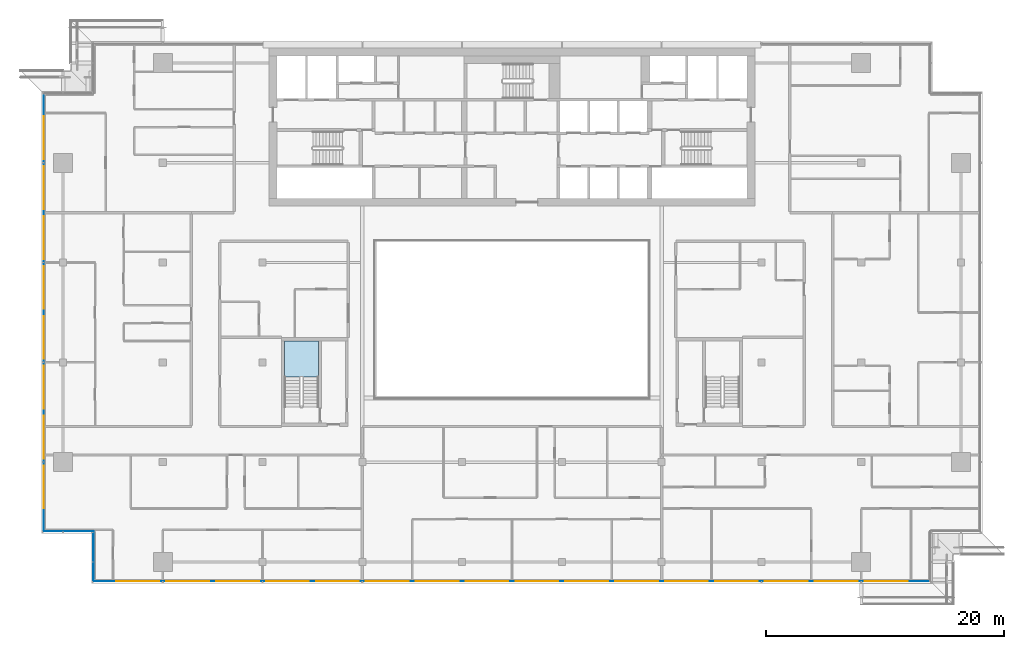
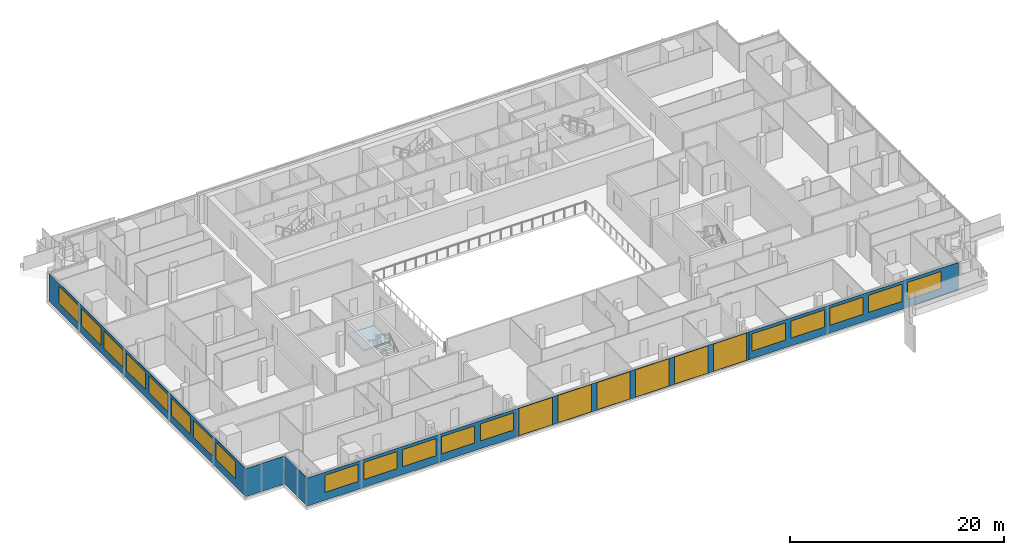
# One storey, part 16 of 30: 24 windows, 6 plates, 1 slab, 24 openings, 5 elements without a shape of their own.
"""IFC4 building model written with IfcOpenShell, lengths in metres."""

import ifcopenshell
import ifcopenshell.guid

model = None  # the IFC model being written
_history = None  # IfcOwnerHistory: only IFC2X3 demands one
_inside = {}  # id of a spatial element -> (the spatial element, [elements in it])
_under = {}  # id of a project, library or spatial element -> (it, [spatial elements below it])
_declared = {}  # id of a project -> (the project, [libraries it declares])
_typed = {}  # id of a type object -> (the type object, [elements of that type])
_made_of = {}  # id of a material, layer set ... -> (it, [elements and type objects made of it])


def new_model(schema):
    """Start an empty IFC model of exactly this schema.

    Asked for "IFC4X3", IfcOpenShell would pick the latest addendum, in which some entities
    have other attributes; the version numbers below select the first issue.
    IFC2X3 requires an IfcOwnerHistory on every rooted entity: one is made here for all.
    """
    global model, _history
    if schema == "IFC4X3":
        model = ifcopenshell.file(schema_version=(4, 3, 0, 0))
    else:
        model = ifcopenshell.file(schema=schema)
    _inside.clear()
    _under.clear()
    _declared.clear()
    _typed.clear()
    _made_of.clear()
    _history = None
    if model.schema == "IFC2X3":
        org = make("IfcOrganization", Name="unknown")
        user = make(
            "IfcPersonAndOrganization",
            ThePerson=make("IfcPerson", FamilyName="unknown"),
            TheOrganization=org,
        )
        app = make(
            "IfcApplication",
            ApplicationDeveloper=org,
            Version="unknown",
            ApplicationFullName="unknown",
            ApplicationIdentifier="unknown",
        )
        _history = make(
            "IfcOwnerHistory",
            OwningUser=user,
            OwningApplication=app,
            ChangeAction="ADDED",
            CreationDate=0,
        )
    return model


def make(cls, **values):
    """One entity of the class cls with the attributes given. An attribute that is None is left unset."""
    return model.create_entity(
        cls, **{name: value for name, value in values.items() if value is not None}
    )


def rooted(cls, **values):
    """An entity with a GlobalId (a new one), such as an element, a storey or a relation."""
    return make(cls, GlobalId=ifcopenshell.guid.new(), OwnerHistory=_history, **values)


def si_unit(unit_type, name, prefix=None):
    """IfcSIUnit, for example si_unit("LENGTHUNIT", "METRE", prefix="MILLI")."""
    return make("IfcSIUnit", UnitType=unit_type, Prefix=prefix, Name=name)


def assignment(units):
    """IfcUnitAssignment: the units of a project."""
    return None if units is None else make("IfcUnitAssignment", Units=units)


def point(xyz):
    """IfcCartesianPoint."""
    return None if xyz is None else make("IfcCartesianPoint", Coordinates=xyz)


def direction(xyz):
    """IfcDirection."""
    return None if xyz is None else make("IfcDirection", DirectionRatios=xyz)


def frame(location, z_axis=None, x_axis=None):
    """IfcAxis2Placement3D, a coordinate frame: its origin and axes. An axis left out is left unset."""
    return make(
        "IfcAxis2Placement3D",
        Location=point(location),
        Axis=direction(z_axis),
        RefDirection=direction(x_axis),
    )


def frame_2d(location, x_axis=None):
    """IfcAxis2Placement2D, a coordinate frame in the plane: its origin and x axis."""
    return make(
        "IfcAxis2Placement2D", Location=point(location), RefDirection=direction(x_axis)
    )


def origin():
    """The frame at (0, 0, 0) with its axes left unset."""
    return frame((0.0, 0.0, 0.0))


def place(relative_to, where):
    """IfcLocalPlacement: puts the frame where relative to a parent placement (None: the world)."""
    return make(
        "IfcLocalPlacement", PlacementRelTo=relative_to, RelativePlacement=where
    )


def context(
    kind, dimensions, precision=None, world=None, true_north=None, identifier=None
):
    """IfcGeometricRepresentationContext, for example the 3D "Model" context."""
    return make(
        "IfcGeometricRepresentationContext",
        ContextIdentifier=identifier,
        ContextType=kind,
        CoordinateSpaceDimension=dimensions,
        Precision=precision,
        WorldCoordinateSystem=world,
        TrueNorth=true_north,
    )


def subcontext(parent, identifier, kind, view, scale=None):
    """IfcGeometricRepresentationSubContext, for example "Body" below "Model"."""
    return make(
        "IfcGeometricRepresentationSubContext",
        ContextIdentifier=identifier,
        ContextType=kind,
        ParentContext=parent,
        TargetScale=scale,
        TargetView=view,
    )


def project(units=None, contexts=None):
    """IfcProject with its units and contexts."""
    return rooted(
        "IfcProject",
        Name="project",
        RepresentationContexts=contexts,
        UnitsInContext=assignment(units),
    )


def spatial(cls, under=None, at=None, **own):
    """A site, building, storey or space (cls), placed at a placement, below another one or the project."""
    s = rooted(cls, ObjectPlacement=at, **own)
    if under is not None:
        _under.setdefault(under.id(), (under, []))[1].append(s)
    return s


def polyline(points):
    """IfcPolyline through the points."""
    return make("IfcPolyline", Points=[point(p) for p in points])


def profile(cls, at=None, kind="AREA", **sizes):
    """A parametric profile (cls). Its sizes go by their IFC names, for example OverallWidth=200.0."""
    return make(cls, ProfileType=kind, Position=at, **sizes)


def rectangle(**sizes):
    """IfcRectangleProfileDef."""
    return profile("IfcRectangleProfileDef", **sizes)


def outline(outer, holes=None, kind="AREA"):
    """IfcArbitraryClosedProfileDef: a profile drawn as a closed curve; with holes, ...WithVoids."""
    if holes is None:
        return make("IfcArbitraryClosedProfileDef", ProfileType=kind, OuterCurve=outer)
    return make(
        "IfcArbitraryProfileDefWithVoids",
        ProfileType=kind,
        OuterCurve=outer,
        InnerCurves=holes,
    )


def extrude(swept, where, along, depth):
    """IfcExtrudedAreaSolid: the profile swept, set in the frame where, extruded along a direction by depth."""
    return make(
        "IfcExtrudedAreaSolid",
        SweptArea=swept,
        Position=where,
        ExtrudedDirection=direction(along),
        Depth=depth,
    )


def shape(context_of_items, identifier, shape_type, items):
    """IfcShapeRepresentation: the items that make up one representation, for example the "Body"."""
    return make(
        "IfcShapeRepresentation",
        ContextOfItems=context_of_items,
        RepresentationIdentifier=identifier,
        RepresentationType=shape_type,
        Items=items,
    )


def material(Name=None, Category=None):
    """IfcMaterial."""
    return make("IfcMaterial", Name=Name, Category=Category)


def layer(
    of_material, thickness, ventilated=None, Name=None, Category=None, Priority=None
):
    """IfcMaterialLayer: one layer of a wall or slab, of a material (None: an air gap)."""
    return make(
        "IfcMaterialLayer",
        Material=of_material,
        LayerThickness=thickness,
        IsVentilated=ventilated,
        Name=Name,
        Category=Category,
        Priority=Priority,
    )


def layer_set(layers, Name=None):
    """IfcMaterialLayerSet."""
    return make("IfcMaterialLayerSet", MaterialLayers=layers, LayerSetName=Name)


def made_of(thing, what):
    """Note that an element or type object is made of a material, layer set ...; save() writes the relation."""
    if what is not None:
        _made_of.setdefault(what.id(), (what, []))[1].append(thing)
    return thing


def type_object(cls, material=None, **own):
    """A type object (cls), such as IfcWallType, which elements share."""
    return made_of(rooted(cls, **own), material)


def element(
    cls,
    number,
    at=None,
    inside=None,
    cuts=None,
    type_object=None,
    material=None,
    context=None,
    identifier="Body",
    shape_type=None,
    held_by="IfcProductDefinitionShape",
    body=None,
    shapes=None,
    **own,
):
    """One element of the class cls, such as IfcWall. Its Tag is "e" and its number.

    at: its placement. inside: the storey or other place that contains it. cuts: it is an
    opening in that element (IfcRelVoidsElement). A single representation is given by context,
    identifier, shape_type and body (its items); several are given by shapes. held_by: the class
    of the entity that holds the representations. save() writes the other relations.
    """
    e = rooted(cls, Tag="e%d" % number, ObjectPlacement=at, **own)
    if body is not None:
        shapes = [shape(context, identifier, shape_type, body)]
    if shapes is not None:
        e.Representation = make(held_by, Representations=shapes)
    if inside is not None:
        _inside.setdefault(inside.id(), (inside, []))[1].append(e)
    if cuts is not None:
        rooted(
            "IfcRelVoidsElement", RelatingBuildingElement=cuts, RelatedOpeningElement=e
        )
    if type_object is not None:
        _typed.setdefault(type_object.id(), (type_object, []))[1].append(e)
    return made_of(e, material)


def fill(opening, filler):
    """IfcRelFillsElement: the door or window that sits in an opening."""
    return rooted(
        "IfcRelFillsElement",
        RelatingOpeningElement=opening,
        RelatedBuildingElement=filler,
    )


def aggregate(whole, parts):
    """IfcRelAggregates: a whole, such as a stair, and the parts it consists of."""
    return rooted("IfcRelAggregates", RelatingObject=whole, RelatedObjects=parts)


def save(model, path):
    """Write the relations noted so far, then the file.

    IfcRelAggregates (storeys below a building ...), IfcRelContainedInSpatialStructure (elements
    in a storey), IfcRelDefinesByType, IfcRelAssociatesMaterial and IfcRelDeclares: one each for
    every whole, place, type object, material and project.
    """
    for whole, parts in _under.values():
        aggregate(whole, parts)
    for where, things in _inside.values():
        rooted(
            "IfcRelContainedInSpatialStructure",
            RelatedElements=things,
            RelatingStructure=where,
        )
    for kind, things in _typed.values():
        rooted("IfcRelDefinesByType", RelatedObjects=things, RelatingType=kind)
    for what, things in _made_of.values():
        rooted("IfcRelAssociatesMaterial", RelatedObjects=things, RelatingMaterial=what)
    for by, libraries in _declared.values():
        rooted("IfcRelDeclares", RelatingContext=by, RelatedDefinitions=libraries)
    model.write(path)


model = new_model("IFC4")

# Units and contexts
model_context = context("Model", 3, precision=1e-05, world=origin(), true_north=direction((0.0, 1.0)))
body_context = subcontext(model_context, "Body", "Model", "MODEL_VIEW")
ifc_project = project(units=[si_unit("LENGTHUNIT", "METRE"), si_unit("AREAUNIT", "SQUARE_METRE"), si_unit("VOLUMEUNIT", "CUBIC_METRE"), si_unit("PLANEANGLEUNIT", "RADIAN"), si_unit("MASSUNIT", "GRAM", prefix="KILO")], contexts=[model_context])

# Site, building, storey
site_placement = place(None, origin())
site = spatial("IfcSite", under=ifc_project, at=site_placement, CompositionType="ELEMENT")
building_placement = place(site_placement, origin())
building = spatial("IfcBuilding", under=site, at=building_placement, Name="Saffron Gate Tower", CompositionType="ELEMENT")
storey_placement = place(building_placement, frame((0.0, 0.0, 237.89990234375)))
storey = spatial("IfcBuildingStorey", under=building, at=storey_placement, Name="L58", CompositionType="ELEMENT", Elevation=237.89990234375)

# Curtain wall, plates, openings, windows
ifc_material_1 = material(Name="Aluminium, bronze anodised", Category="aluminium")
curtain_wall_type_1 = type_object("IfcCurtainWallType", Name="CWS1 curtain wall front facade", PredefinedType="NOTDEFINED", material=ifc_material_1)
curtain_wall_1_placement = place(storey_placement, origin())
curtain_wall_1 = element("IfcCurtainWall", 1, at=curtain_wall_1_placement, inside=storey, type_object=curtain_wall_type_1, Name="CWS1 run 1", PredefinedType="NOTDEFINED")
ifc_material_2 = material(Name="Clear low-iron laminated glass", Category="glass")
ifc_layer_1 = layer(ifc_material_2, 0.028076171875)
ifc_layer_set_1 = layer_set([ifc_layer_1], Name="CWS1 clear glass")
plate_type_1 = type_object("IfcPlateType", Name="CWS1 clear glass", PredefinedType="CURTAIN_PANEL", material=ifc_layer_set_1)
plate_1_placement = place(storey_placement, frame((75.030029296875, 30.174072265625, 0.0), z_axis=(0.0, 0.0, 1.0), x_axis=(1.0, 0.0, 0.0)))
plate_1 = element("IfcPlate", 2, at=plate_1_placement, type_object=plate_type_1, Name="CWS1 clear glass panel", PredefinedType="CURTAIN_PANEL", context=body_context, shape_type="SweptSolid", body=[
    extrude(rectangle(XDim=25.139892578125, YDim=0.028076171875, at=frame_2d((12.56982421875, 0.0))), origin(), (0.0, 0.0, 1.0), 3.2001953125),
])
opening_1_placement = place(plate_1_placement, frame((0.27001953125, 0.0, 0.050048828125)))
opening_1 = element("IfcOpeningElement", 3, at=opening_1_placement, cuts=plate_1, Name="Opening WA", PredefinedType="OPENING", context=body_context, shape_type="SweptSolid", body=[
    extrude(rectangle(XDim=3.60009765625, YDim=3.10009765625, at=frame_2d((1.800048828125, 1.550048828125))), frame((0.0, 0.02392578125, 0.0), z_axis=(0.0, -1.0, 0.0), x_axis=(1.0, 0.0, 0.0)), (0.0, 0.0, 1.0), 0.048095703125),
])
opening_2_placement = place(plate_1_placement, frame((4.469970703125, 0.0, 0.050048828125)))
opening_2 = element("IfcOpeningElement", 4, at=opening_2_placement, cuts=plate_1, Name="Opening WA", PredefinedType="OPENING", context=body_context, shape_type="SweptSolid", body=[
    extrude(rectangle(XDim=3.60009765625, YDim=3.10009765625, at=frame_2d((1.800048828125, 1.550048828125))), frame((0.0, 0.02392578125, 0.0), z_axis=(0.0, -1.0, 0.0), x_axis=(1.0, 0.0, 0.0)), (0.0, 0.0, 1.0), 0.048095703125),
])
opening_3_placement = place(plate_1_placement, frame((8.669921875, 0.0, 0.050048828125)))
opening_3 = element("IfcOpeningElement", 5, at=opening_3_placement, cuts=plate_1, Name="Opening WA", PredefinedType="OPENING", context=body_context, shape_type="SweptSolid", body=[
    extrude(rectangle(XDim=3.60009765625, YDim=3.10009765625, at=frame_2d((1.800048828125, 1.550048828125))), frame((0.0, 0.02392578125, 0.0), z_axis=(0.0, -1.0, 0.0), x_axis=(1.0, 0.0, 0.0)), (0.0, 0.0, 1.0), 0.048095703125),
])
opening_4_placement = place(plate_1_placement, frame((12.8701171875, 0.0, 0.050048828125)))
opening_4 = element("IfcOpeningElement", 6, at=opening_4_placement, cuts=plate_1, Name="Opening WA", PredefinedType="OPENING", context=body_context, shape_type="SweptSolid", body=[
    extrude(rectangle(XDim=3.60009765625, YDim=3.10009765625, at=frame_2d((1.800048828125, 1.550048828125))), frame((0.0, 0.02392578125, 0.0), z_axis=(0.0, -1.0, 0.0), x_axis=(1.0, 0.0, 0.0)), (0.0, 0.0, 1.0), 0.048095703125),
])
opening_5_placement = place(plate_1_placement, frame((17.070068359375, 0.0, 0.050048828125)))
opening_5 = element("IfcOpeningElement", 7, at=opening_5_placement, cuts=plate_1, Name="Opening WA", PredefinedType="OPENING", context=body_context, shape_type="SweptSolid", body=[
    extrude(rectangle(XDim=3.60009765625, YDim=3.10009765625, at=frame_2d((1.800048828125, 1.550048828125))), frame((0.0, 0.02392578125, 0.0), z_axis=(0.0, -1.0, 0.0), x_axis=(1.0, 0.0, 0.0)), (0.0, 0.0, 1.0), 0.048095703125),
])
opening_6_placement = place(plate_1_placement, frame((21.27001953125, 0.0, 0.050048828125)))
opening_6 = element("IfcOpeningElement", 8, at=opening_6_placement, cuts=plate_1, Name="Opening WA", PredefinedType="OPENING", context=body_context, shape_type="SweptSolid", body=[
    extrude(rectangle(XDim=3.60009765625, YDim=3.10009765625, at=frame_2d((1.800048828125, 1.550048828125))), frame((0.0, 0.02392578125, 0.0), z_axis=(0.0, -1.0, 0.0), x_axis=(1.0, 0.0, 0.0)), (0.0, 0.0, 1.0), 0.048095703125),
])
ifc_material_3 = material(Name="Clear low-iron laminated glass in bronze frame", Category="glass")
ifc_layer_2 = layer(ifc_material_3, 0.06005859375)
ifc_layer_set_2 = layer_set([ifc_layer_2], Name="WA operable atrium unit 3600x3100")
window_type_1 = type_object("IfcWindowType", Name="WA operable atrium unit 3600x3100", PartitioningType="DOUBLE_PANEL_HORIZONTAL", PredefinedType="WINDOW", material=ifc_layer_set_2)
window_1_placement = place(opening_1_placement, origin())
window_1 = element("IfcWindow", 9, at=window_1_placement, type_object=window_type_1, Name="WA operable atrium unit", OverallHeight=3.10009765625, OverallWidth=3.60009765625, PartitioningType="SINGLE_PANEL", PredefinedType="WINDOW", context=body_context, shape_type="SweptSolid", body=[
    extrude(rectangle(XDim=3.60009765625, YDim=3.10009765625, at=frame_2d((1.800048828125, 1.550048828125))), frame((0.0, 0.013671875, 0.0), z_axis=(0.0, -1.0, 0.0), x_axis=(1.0, 0.0, 0.0)), (0.0, 0.0, 1.0), 0.027587890625),
])
fill(opening_1, window_1)
window_2_placement = place(opening_2_placement, origin())
window_2 = element("IfcWindow", 10, at=window_2_placement, type_object=window_type_1, Name="WA operable atrium unit", OverallHeight=3.10009765625, OverallWidth=3.60009765625, PartitioningType="SINGLE_PANEL", PredefinedType="WINDOW", context=body_context, shape_type="SweptSolid", body=[
    extrude(rectangle(XDim=3.60009765625, YDim=3.10009765625, at=frame_2d((1.800048828125, 1.550048828125))), frame((0.0, 0.013671875, 0.0), z_axis=(0.0, -1.0, 0.0), x_axis=(1.0, 0.0, 0.0)), (0.0, 0.0, 1.0), 0.027587890625),
])
fill(opening_2, window_2)
window_3_placement = place(opening_3_placement, origin())
window_3 = element("IfcWindow", 11, at=window_3_placement, type_object=window_type_1, Name="WA operable atrium unit", OverallHeight=3.10009765625, OverallWidth=3.60009765625, PartitioningType="SINGLE_PANEL", PredefinedType="WINDOW", context=body_context, shape_type="SweptSolid", body=[
    extrude(rectangle(XDim=3.60009765625, YDim=3.10009765625, at=frame_2d((1.800048828125, 1.550048828125))), frame((0.0, 0.013671875, 0.0), z_axis=(0.0, -1.0, 0.0), x_axis=(1.0, 0.0, 0.0)), (0.0, 0.0, 1.0), 0.027587890625),
])
fill(opening_3, window_3)
window_4_placement = place(opening_4_placement, origin())
window_4 = element("IfcWindow", 12, at=window_4_placement, type_object=window_type_1, Name="WA operable atrium unit", OverallHeight=3.10009765625, OverallWidth=3.60009765625, PartitioningType="SINGLE_PANEL", PredefinedType="WINDOW", context=body_context, shape_type="SweptSolid", body=[
    extrude(rectangle(XDim=3.60009765625, YDim=3.10009765625, at=frame_2d((1.800048828125, 1.550048828125))), frame((0.0, 0.013671875, 0.0), z_axis=(0.0, -1.0, 0.0), x_axis=(1.0, 0.0, 0.0)), (0.0, 0.0, 1.0), 0.027587890625),
])
fill(opening_4, window_4)
window_5_placement = place(opening_5_placement, origin())
window_5 = element("IfcWindow", 13, at=window_5_placement, type_object=window_type_1, Name="WA operable atrium unit", OverallHeight=3.10009765625, OverallWidth=3.60009765625, PartitioningType="SINGLE_PANEL", PredefinedType="WINDOW", context=body_context, shape_type="SweptSolid", body=[
    extrude(rectangle(XDim=3.60009765625, YDim=3.10009765625, at=frame_2d((1.800048828125, 1.550048828125))), frame((0.0, 0.013671875, 0.0), z_axis=(0.0, -1.0, 0.0), x_axis=(1.0, 0.0, 0.0)), (0.0, 0.0, 1.0), 0.027587890625),
])
fill(opening_5, window_5)
window_6_placement = place(opening_6_placement, origin())
window_6 = element("IfcWindow", 14, at=window_6_placement, type_object=window_type_1, Name="WA operable atrium unit", OverallHeight=3.10009765625, OverallWidth=3.60009765625, PartitioningType="SINGLE_PANEL", PredefinedType="WINDOW", context=body_context, shape_type="SweptSolid", body=[
    extrude(rectangle(XDim=3.60009765625, YDim=3.10009765625, at=frame_2d((1.800048828125, 1.550048828125))), frame((0.0, 0.013671875, 0.0), z_axis=(0.0, -1.0, 0.0), x_axis=(1.0, 0.0, 0.0)), (0.0, 0.0, 1.0), 0.027587890625),
])
fill(opening_6, window_6)
ifc_material_4 = material(Name="Fritted bronze-tinted laminated glass", Category="glass")
ifc_layer_3 = layer(ifc_material_4, 0.028076171875)
ifc_layer_set_3 = layer_set([ifc_layer_3], Name="CWS1 fixed glass")
plate_type_2 = type_object("IfcPlateType", Name="CWS1 fixed glass", PredefinedType="CURTAIN_PANEL", material=ifc_layer_set_3)
plate_2_placement = place(storey_placement, frame((52.387939453125, 30.174072265625, 0.0), z_axis=(0.0, 0.0, 1.0), x_axis=(1.0, 0.0, 0.0)))
plate_2 = element("IfcPlate", 15, at=plate_2_placement, type_object=plate_type_2, Name="CWS1 glass panel", PredefinedType="CURTAIN_PANEL", context=body_context, shape_type="SweptSolid", body=[
    extrude(rectangle(XDim=22.64208984375, YDim=0.028076171875, at=frame_2d((11.321044921875, 0.0))), origin(), (0.0, 0.0, 1.0), 3.2001953125),
])
opening_7_placement = place(plate_2_placement, frame((1.912109375, 0.0, 0.89990234375)))
opening_7 = element("IfcOpeningElement", 16, at=opening_7_placement, cuts=plate_2, Name="Opening W1", PredefinedType="OPENING", context=body_context, shape_type="SweptSolid", body=[
    extrude(rectangle(XDim=3.60009765625, YDim=1.949951171875, at=frame_2d((1.800048828125, 0.97509765625))), frame((0.0, 0.02392578125, 0.0), z_axis=(0.0, -1.0, 0.0), x_axis=(1.0, 0.0, 0.0)), (0.0, 0.0, 1.0), 0.048095703125),
])
opening_8_placement = place(plate_2_placement, frame((6.112060546875, 0.0, 0.89990234375)))
opening_8 = element("IfcOpeningElement", 17, at=opening_8_placement, cuts=plate_2, Name="Opening W1", PredefinedType="OPENING", context=body_context, shape_type="SweptSolid", body=[
    extrude(rectangle(XDim=3.60009765625, YDim=1.949951171875, at=frame_2d((1.800048828125, 0.97509765625))), frame((0.0, 0.02392578125, 0.0), z_axis=(0.0, -1.0, 0.0), x_axis=(1.0, 0.0, 0.0)), (0.0, 0.0, 1.0), 0.048095703125),
])
opening_9_placement = place(plate_2_placement, frame((10.31201171875, 0.0, 0.89990234375)))
opening_9 = element("IfcOpeningElement", 18, at=opening_9_placement, cuts=plate_2, Name="Opening W1", PredefinedType="OPENING", context=body_context, shape_type="SweptSolid", body=[
    extrude(rectangle(XDim=3.60009765625, YDim=1.949951171875, at=frame_2d((1.800048828125, 0.97509765625))), frame((0.0, 0.02392578125, 0.0), z_axis=(0.0, -1.0, 0.0), x_axis=(1.0, 0.0, 0.0)), (0.0, 0.0, 1.0), 0.048095703125),
])
opening_10_placement = place(plate_2_placement, frame((14.511962890625, 0.0, 0.89990234375)))
opening_10 = element("IfcOpeningElement", 19, at=opening_10_placement, cuts=plate_2, Name="Opening W1", PredefinedType="OPENING", context=body_context, shape_type="SweptSolid", body=[
    extrude(rectangle(XDim=3.60009765625, YDim=1.949951171875, at=frame_2d((1.800048828125, 0.97509765625))), frame((0.0, 0.02392578125, 0.0), z_axis=(0.0, -1.0, 0.0), x_axis=(1.0, 0.0, 0.0)), (0.0, 0.0, 1.0), 0.048095703125),
])
opening_11_placement = place(plate_2_placement, frame((18.7119140625, 0.0, 0.89990234375)))
opening_11 = element("IfcOpeningElement", 20, at=opening_11_placement, cuts=plate_2, Name="Opening W1", PredefinedType="OPENING", context=body_context, shape_type="SweptSolid", body=[
    extrude(rectangle(XDim=3.60009765625, YDim=1.949951171875, at=frame_2d((1.800048828125, 0.97509765625))), frame((0.0, 0.02392578125, 0.0), z_axis=(0.0, -1.0, 0.0), x_axis=(1.0, 0.0, 0.0)), (0.0, 0.0, 1.0), 0.048095703125),
])
ifc_material_5 = material(Name="Fritted bronze-tinted laminated glass in bronze frame", Category="glass")
ifc_layer_4 = layer(ifc_material_5, 0.06005859375)
ifc_layer_set_4 = layer_set([ifc_layer_4], Name="W1 operable panel 3600x1950")
window_type_2 = type_object("IfcWindowType", Name="W1 operable panel 3600x1950", PartitioningType="DOUBLE_PANEL_HORIZONTAL", PredefinedType="WINDOW", material=ifc_layer_set_4)
window_7_placement = place(opening_7_placement, origin())
window_7 = element("IfcWindow", 21, at=window_7_placement, type_object=window_type_2, Name="W1 operable panel", OverallHeight=1.949951171875, OverallWidth=3.60009765625, PartitioningType="SINGLE_PANEL", PredefinedType="WINDOW", context=body_context, shape_type="SweptSolid", body=[
    extrude(rectangle(XDim=3.60009765625, YDim=1.949951171875, at=frame_2d((1.800048828125, 0.97509765625))), frame((0.0, 0.013671875, 0.0), z_axis=(0.0, -1.0, 0.0), x_axis=(1.0, 0.0, 0.0)), (0.0, 0.0, 1.0), 0.027587890625),
])
fill(opening_7, window_7)
window_8_placement = place(opening_8_placement, origin())
window_8 = element("IfcWindow", 22, at=window_8_placement, type_object=window_type_2, Name="W1 operable panel", OverallHeight=1.949951171875, OverallWidth=3.60009765625, PartitioningType="SINGLE_PANEL", PredefinedType="WINDOW", context=body_context, shape_type="SweptSolid", body=[
    extrude(rectangle(XDim=3.60009765625, YDim=1.949951171875, at=frame_2d((1.800048828125, 0.97509765625))), frame((0.0, 0.013671875, 0.0), z_axis=(0.0, -1.0, 0.0), x_axis=(1.0, 0.0, 0.0)), (0.0, 0.0, 1.0), 0.027587890625),
])
fill(opening_8, window_8)
window_9_placement = place(opening_9_placement, origin())
window_9 = element("IfcWindow", 23, at=window_9_placement, type_object=window_type_2, Name="W1 operable panel", OverallHeight=1.949951171875, OverallWidth=3.60009765625, PartitioningType="SINGLE_PANEL", PredefinedType="WINDOW", context=body_context, shape_type="SweptSolid", body=[
    extrude(rectangle(XDim=3.60009765625, YDim=1.949951171875, at=frame_2d((1.800048828125, 0.97509765625))), frame((0.0, 0.013671875, 0.0), z_axis=(0.0, -1.0, 0.0), x_axis=(1.0, 0.0, 0.0)), (0.0, 0.0, 1.0), 0.027587890625),
])
fill(opening_9, window_9)
window_10_placement = place(opening_10_placement, origin())
window_10 = element("IfcWindow", 24, at=window_10_placement, type_object=window_type_2, Name="W1 operable panel", OverallHeight=1.949951171875, OverallWidth=3.60009765625, PartitioningType="SINGLE_PANEL", PredefinedType="WINDOW", context=body_context, shape_type="SweptSolid", body=[
    extrude(rectangle(XDim=3.60009765625, YDim=1.949951171875, at=frame_2d((1.800048828125, 0.97509765625))), frame((0.0, 0.013671875, 0.0), z_axis=(0.0, -1.0, 0.0), x_axis=(1.0, 0.0, 0.0)), (0.0, 0.0, 1.0), 0.027587890625),
])
fill(opening_10, window_10)
window_11_placement = place(opening_11_placement, origin())
window_11 = element("IfcWindow", 25, at=window_11_placement, type_object=window_type_2, Name="W1 operable panel", OverallHeight=1.949951171875, OverallWidth=3.60009765625, PartitioningType="SINGLE_PANEL", PredefinedType="WINDOW", context=body_context, shape_type="SweptSolid", body=[
    extrude(rectangle(XDim=3.60009765625, YDim=1.949951171875, at=frame_2d((1.800048828125, 0.97509765625))), frame((0.0, 0.013671875, 0.0), z_axis=(0.0, -1.0, 0.0), x_axis=(1.0, 0.0, 0.0)), (0.0, 0.0, 1.0), 0.027587890625),
])
fill(opening_11, window_11)
plate_3_placement = place(storey_placement, frame((100.169921875, 30.174072265625, 0.0), z_axis=(0.0, 0.0, 1.0), x_axis=(1.0, 0.0, 0.0)))
plate_3 = element("IfcPlate", 26, at=plate_3_placement, type_object=plate_type_2, Name="CWS1 glass panel", PredefinedType="CURTAIN_PANEL", context=body_context, shape_type="SweptSolid", body=[
    extrude(rectangle(XDim=22.64208984375, YDim=0.028076171875, at=frame_2d((11.321044921875, 0.0))), origin(), (0.0, 0.0, 1.0), 3.2001953125),
])
opening_12_placement = place(plate_3_placement, frame((0.330078125, 0.0, 0.89990234375)))
opening_12 = element("IfcOpeningElement", 27, at=opening_12_placement, cuts=plate_3, Name="Opening W1", PredefinedType="OPENING", context=body_context, shape_type="SweptSolid", body=[
    extrude(rectangle(XDim=3.60009765625, YDim=1.949951171875, at=frame_2d((1.800048828125, 0.97509765625))), frame((0.0, 0.02392578125, 0.0), z_axis=(0.0, -1.0, 0.0), x_axis=(1.0, 0.0, 0.0)), (0.0, 0.0, 1.0), 0.048095703125),
])
opening_13_placement = place(plate_3_placement, frame((4.530029296875, 0.0, 0.89990234375)))
opening_13 = element("IfcOpeningElement", 28, at=opening_13_placement, cuts=plate_3, Name="Opening W1", PredefinedType="OPENING", context=body_context, shape_type="SweptSolid", body=[
    extrude(rectangle(XDim=3.60009765625, YDim=1.949951171875, at=frame_2d((1.800048828125, 0.97509765625))), frame((0.0, 0.02392578125, 0.0), z_axis=(0.0, -1.0, 0.0), x_axis=(1.0, 0.0, 0.0)), (0.0, 0.0, 1.0), 0.048095703125),
])
opening_14_placement = place(plate_3_placement, frame((8.72998046875, 0.0, 0.89990234375)))
opening_14 = element("IfcOpeningElement", 29, at=opening_14_placement, cuts=plate_3, Name="Opening W1", PredefinedType="OPENING", context=body_context, shape_type="SweptSolid", body=[
    extrude(rectangle(XDim=3.60009765625, YDim=1.949951171875, at=frame_2d((1.800048828125, 0.97509765625))), frame((0.0, 0.02392578125, 0.0), z_axis=(0.0, -1.0, 0.0), x_axis=(1.0, 0.0, 0.0)), (0.0, 0.0, 1.0), 0.048095703125),
])
opening_15_placement = place(plate_3_placement, frame((12.929931640625, 0.0, 0.89990234375)))
opening_15 = element("IfcOpeningElement", 30, at=opening_15_placement, cuts=plate_3, Name="Opening W1", PredefinedType="OPENING", context=body_context, shape_type="SweptSolid", body=[
    extrude(rectangle(XDim=3.60009765625, YDim=1.949951171875, at=frame_2d((1.800048828125, 0.97509765625))), frame((0.0, 0.02392578125, 0.0), z_axis=(0.0, -1.0, 0.0), x_axis=(1.0, 0.0, 0.0)), (0.0, 0.0, 1.0), 0.048095703125),
])
opening_16_placement = place(plate_3_placement, frame((17.1298828125, 0.0, 0.89990234375)))
opening_16 = element("IfcOpeningElement", 31, at=opening_16_placement, cuts=plate_3, Name="Opening W1", PredefinedType="OPENING", context=body_context, shape_type="SweptSolid", body=[
    extrude(rectangle(XDim=3.60009765625, YDim=1.949951171875, at=frame_2d((1.800048828125, 0.97509765625))), frame((0.0, 0.02392578125, 0.0), z_axis=(0.0, -1.0, 0.0), x_axis=(1.0, 0.0, 0.0)), (0.0, 0.0, 1.0), 0.048095703125),
])
window_12_placement = place(opening_12_placement, origin())
window_12 = element("IfcWindow", 32, at=window_12_placement, type_object=window_type_2, Name="W1 operable panel", OverallHeight=1.949951171875, OverallWidth=3.60009765625, PartitioningType="SINGLE_PANEL", PredefinedType="WINDOW", context=body_context, shape_type="SweptSolid", body=[
    extrude(rectangle(XDim=3.60009765625, YDim=1.949951171875, at=frame_2d((1.800048828125, 0.97509765625))), frame((0.0, 0.013671875, 0.0), z_axis=(0.0, -1.0, 0.0), x_axis=(1.0, 0.0, 0.0)), (0.0, 0.0, 1.0), 0.027587890625),
])
fill(opening_12, window_12)
window_13_placement = place(opening_13_placement, origin())
window_13 = element("IfcWindow", 33, at=window_13_placement, type_object=window_type_2, Name="W1 operable panel", OverallHeight=1.949951171875, OverallWidth=3.60009765625, PartitioningType="SINGLE_PANEL", PredefinedType="WINDOW", context=body_context, shape_type="SweptSolid", body=[
    extrude(rectangle(XDim=3.60009765625, YDim=1.949951171875, at=frame_2d((1.800048828125, 0.97509765625))), frame((0.0, 0.013671875, 0.0), z_axis=(0.0, -1.0, 0.0), x_axis=(1.0, 0.0, 0.0)), (0.0, 0.0, 1.0), 0.027587890625),
])
fill(opening_13, window_13)
window_14_placement = place(opening_14_placement, origin())
window_14 = element("IfcWindow", 34, at=window_14_placement, type_object=window_type_2, Name="W1 operable panel", OverallHeight=1.949951171875, OverallWidth=3.60009765625, PartitioningType="SINGLE_PANEL", PredefinedType="WINDOW", context=body_context, shape_type="SweptSolid", body=[
    extrude(rectangle(XDim=3.60009765625, YDim=1.949951171875, at=frame_2d((1.800048828125, 0.97509765625))), frame((0.0, 0.013671875, 0.0), z_axis=(0.0, -1.0, 0.0), x_axis=(1.0, 0.0, 0.0)), (0.0, 0.0, 1.0), 0.027587890625),
])
fill(opening_14, window_14)
window_15_placement = place(opening_15_placement, origin())
window_15 = element("IfcWindow", 35, at=window_15_placement, type_object=window_type_2, Name="W1 operable panel", OverallHeight=1.949951171875, OverallWidth=3.60009765625, PartitioningType="SINGLE_PANEL", PredefinedType="WINDOW", context=body_context, shape_type="SweptSolid", body=[
    extrude(rectangle(XDim=3.60009765625, YDim=1.949951171875, at=frame_2d((1.800048828125, 0.97509765625))), frame((0.0, 0.013671875, 0.0), z_axis=(0.0, -1.0, 0.0), x_axis=(1.0, 0.0, 0.0)), (0.0, 0.0, 1.0), 0.027587890625),
])
fill(opening_15, window_15)
window_16_placement = place(opening_16_placement, origin())
window_16 = element("IfcWindow", 36, at=window_16_placement, type_object=window_type_2, Name="W1 operable panel", OverallHeight=1.949951171875, OverallWidth=3.60009765625, PartitioningType="SINGLE_PANEL", PredefinedType="WINDOW", context=body_context, shape_type="SweptSolid", body=[
    extrude(rectangle(XDim=3.60009765625, YDim=1.949951171875, at=frame_2d((1.800048828125, 0.97509765625))), frame((0.0, 0.013671875, 0.0), z_axis=(0.0, -1.0, 0.0), x_axis=(1.0, 0.0, 0.0)), (0.0, 0.0, 1.0), 0.027587890625),
])
fill(opening_16, window_16)
aggregate(curtain_wall_1, [plate_2, plate_3, plate_1, window_7, window_8, window_9, window_10, window_11, window_12, window_13, window_14, window_15, window_16, window_1, window_2, window_3, window_4, window_5, window_6])

# Curtain wall, plate, openings, windows
curtain_wall_type_2 = type_object("IfcCurtainWallType", Name="CWS2 curtain wall side facades", PredefinedType="NOTDEFINED", material=ifc_material_1)
curtain_wall_2_placement = place(storey_placement, origin())
curtain_wall_2 = element("IfcCurtainWall", 37, at=curtain_wall_2_placement, inside=storey, type_object=curtain_wall_type_2, Name="CWS2 run 10", PredefinedType="NOTDEFINED")
ifc_layer_5 = layer(ifc_material_4, 0.028076171875)
ifc_layer_set_5 = layer_set([ifc_layer_5], Name="CWS2 fixed glass")
plate_type_3 = type_object("IfcPlateType", Name="CWS2 fixed glass", PredefinedType="CURTAIN_PANEL", material=ifc_layer_set_5)
plate_4_placement = place(storey_placement, frame((48.174072265625, 71.2119140625, 0.0), z_axis=(0.0, 0.0, 1.0), x_axis=(0.0, -1.0, 0.0)))
plate_4 = element("IfcPlate", 38, at=plate_4_placement, type_object=plate_type_3, Name="CWS2 glass panel", PredefinedType="CURTAIN_PANEL", context=body_context, shape_type="SweptSolid", body=[
    extrude(rectangle(XDim=36.823974609375, YDim=0.028076171875, at=frame_2d((18.412109375, 0.0))), origin(), (0.0, 0.0, 1.0), 3.2001953125),
])
opening_17_placement = place(plate_4_placement, frame((1.912109375, 0.0, 0.89990234375)))
opening_17 = element("IfcOpeningElement", 39, at=opening_17_placement, cuts=plate_4, Name="Opening W1", PredefinedType="OPENING", context=body_context, shape_type="SweptSolid", body=[
    extrude(rectangle(XDim=3.60009765625, YDim=1.949951171875, at=frame_2d((1.800048828125, 0.97509765625))), frame((0.0, 0.02392578125, 0.0), z_axis=(0.0, -1.0, 0.0), x_axis=(1.0, 0.0, 0.0)), (0.0, 0.0, 1.0), 0.048095703125),
])
opening_18_placement = place(plate_4_placement, frame((6.112060546875, 0.0, 0.89990234375)))
opening_18 = element("IfcOpeningElement", 40, at=opening_18_placement, cuts=plate_4, Name="Opening W1", PredefinedType="OPENING", context=body_context, shape_type="SweptSolid", body=[
    extrude(rectangle(XDim=3.60009765625, YDim=1.949951171875, at=frame_2d((1.800048828125, 0.97509765625))), frame((0.0, 0.02392578125, 0.0), z_axis=(0.0, -1.0, 0.0), x_axis=(1.0, 0.0, 0.0)), (0.0, 0.0, 1.0), 0.048095703125),
])
opening_19_placement = place(plate_4_placement, frame((10.31201171875, 0.0, 0.89990234375)))
opening_19 = element("IfcOpeningElement", 41, at=opening_19_placement, cuts=plate_4, Name="Opening W1", PredefinedType="OPENING", context=body_context, shape_type="SweptSolid", body=[
    extrude(rectangle(XDim=3.60009765625, YDim=1.949951171875, at=frame_2d((1.800048828125, 0.97509765625))), frame((0.0, 0.02392578125, 0.0), z_axis=(0.0, -1.0, 0.0), x_axis=(1.0, 0.0, 0.0)), (0.0, 0.0, 1.0), 0.048095703125),
])
opening_20_placement = place(plate_4_placement, frame((14.511962890625, 0.0, 0.89990234375)))
opening_20 = element("IfcOpeningElement", 42, at=opening_20_placement, cuts=plate_4, Name="Opening W1", PredefinedType="OPENING", context=body_context, shape_type="SweptSolid", body=[
    extrude(rectangle(XDim=3.60009765625, YDim=1.949951171875, at=frame_2d((1.800048828125, 0.97509765625))), frame((0.0, 0.02392578125, 0.0), z_axis=(0.0, -1.0, 0.0), x_axis=(1.0, 0.0, 0.0)), (0.0, 0.0, 1.0), 0.048095703125),
])
opening_21_placement = place(plate_4_placement, frame((18.7119140625, 0.0, 0.89990234375)))
opening_21 = element("IfcOpeningElement", 43, at=opening_21_placement, cuts=plate_4, Name="Opening W1", PredefinedType="OPENING", context=body_context, shape_type="SweptSolid", body=[
    extrude(rectangle(XDim=3.60009765625, YDim=1.949951171875, at=frame_2d((1.800048828125, 0.97509765625))), frame((0.0, 0.02392578125, 0.0), z_axis=(0.0, -1.0, 0.0), x_axis=(1.0, 0.0, 0.0)), (0.0, 0.0, 1.0), 0.048095703125),
])
opening_22_placement = place(plate_4_placement, frame((22.912109375, 0.0, 0.89990234375)))
opening_22 = element("IfcOpeningElement", 44, at=opening_22_placement, cuts=plate_4, Name="Opening W1", PredefinedType="OPENING", context=body_context, shape_type="SweptSolid", body=[
    extrude(rectangle(XDim=3.60009765625, YDim=1.949951171875, at=frame_2d((1.800048828125, 0.97509765625))), frame((0.0, 0.02392578125, 0.0), z_axis=(0.0, -1.0, 0.0), x_axis=(1.0, 0.0, 0.0)), (0.0, 0.0, 1.0), 0.048095703125),
])
opening_23_placement = place(plate_4_placement, frame((27.112060546875, 0.0, 0.89990234375)))
opening_23 = element("IfcOpeningElement", 45, at=opening_23_placement, cuts=plate_4, Name="Opening W1", PredefinedType="OPENING", context=body_context, shape_type="SweptSolid", body=[
    extrude(rectangle(XDim=3.60009765625, YDim=1.949951171875, at=frame_2d((1.800048828125, 0.97509765625))), frame((0.0, 0.02392578125, 0.0), z_axis=(0.0, -1.0, 0.0), x_axis=(1.0, 0.0, 0.0)), (0.0, 0.0, 1.0), 0.048095703125),
])
opening_24_placement = place(plate_4_placement, frame((31.31201171875, 0.0, 0.89990234375)))
opening_24 = element("IfcOpeningElement", 46, at=opening_24_placement, cuts=plate_4, Name="Opening W1", PredefinedType="OPENING", context=body_context, shape_type="SweptSolid", body=[
    extrude(rectangle(XDim=3.60009765625, YDim=1.949951171875, at=frame_2d((1.800048828125, 0.97509765625))), frame((0.0, 0.02392578125, 0.0), z_axis=(0.0, -1.0, 0.0), x_axis=(1.0, 0.0, 0.0)), (0.0, 0.0, 1.0), 0.048095703125),
])
window_17_placement = place(opening_17_placement, origin())
window_17 = element("IfcWindow", 47, at=window_17_placement, type_object=window_type_2, Name="W1 operable panel", OverallHeight=1.949951171875, OverallWidth=3.60009765625, PartitioningType="SINGLE_PANEL", PredefinedType="WINDOW", context=body_context, shape_type="SweptSolid", body=[
    extrude(rectangle(XDim=3.60009765625, YDim=1.949951171875, at=frame_2d((1.800048828125, 0.97509765625))), frame((0.0, 0.013671875, 0.0), z_axis=(0.0, -1.0, 0.0), x_axis=(1.0, 0.0, 0.0)), (0.0, 0.0, 1.0), 0.027587890625),
])
fill(opening_17, window_17)
window_18_placement = place(opening_18_placement, origin())
window_18 = element("IfcWindow", 48, at=window_18_placement, type_object=window_type_2, Name="W1 operable panel", OverallHeight=1.949951171875, OverallWidth=3.60009765625, PartitioningType="SINGLE_PANEL", PredefinedType="WINDOW", context=body_context, shape_type="SweptSolid", body=[
    extrude(rectangle(XDim=3.60009765625, YDim=1.949951171875, at=frame_2d((1.800048828125, 0.97509765625))), frame((0.0, 0.013671875, 0.0), z_axis=(0.0, -1.0, 0.0), x_axis=(1.0, 0.0, 0.0)), (0.0, 0.0, 1.0), 0.027587890625),
])
fill(opening_18, window_18)
window_19_placement = place(opening_19_placement, origin())
window_19 = element("IfcWindow", 49, at=window_19_placement, type_object=window_type_2, Name="W1 operable panel", OverallHeight=1.949951171875, OverallWidth=3.60009765625, PartitioningType="SINGLE_PANEL", PredefinedType="WINDOW", context=body_context, shape_type="SweptSolid", body=[
    extrude(rectangle(XDim=3.60009765625, YDim=1.949951171875, at=frame_2d((1.800048828125, 0.97509765625))), frame((0.0, 0.013671875, 0.0), z_axis=(0.0, -1.0, 0.0), x_axis=(1.0, 0.0, 0.0)), (0.0, 0.0, 1.0), 0.027587890625),
])
fill(opening_19, window_19)
window_20_placement = place(opening_20_placement, origin())
window_20 = element("IfcWindow", 50, at=window_20_placement, type_object=window_type_2, Name="W1 operable panel", OverallHeight=1.949951171875, OverallWidth=3.60009765625, PartitioningType="SINGLE_PANEL", PredefinedType="WINDOW", context=body_context, shape_type="SweptSolid", body=[
    extrude(rectangle(XDim=3.60009765625, YDim=1.949951171875, at=frame_2d((1.800048828125, 0.97509765625))), frame((0.0, 0.013671875, 0.0), z_axis=(0.0, -1.0, 0.0), x_axis=(1.0, 0.0, 0.0)), (0.0, 0.0, 1.0), 0.027587890625),
])
fill(opening_20, window_20)
window_21_placement = place(opening_21_placement, origin())
window_21 = element("IfcWindow", 51, at=window_21_placement, type_object=window_type_2, Name="W1 operable panel", OverallHeight=1.949951171875, OverallWidth=3.60009765625, PartitioningType="SINGLE_PANEL", PredefinedType="WINDOW", context=body_context, shape_type="SweptSolid", body=[
    extrude(rectangle(XDim=3.60009765625, YDim=1.949951171875, at=frame_2d((1.800048828125, 0.97509765625))), frame((0.0, 0.013671875, 0.0), z_axis=(0.0, -1.0, 0.0), x_axis=(1.0, 0.0, 0.0)), (0.0, 0.0, 1.0), 0.027587890625),
])
fill(opening_21, window_21)
window_22_placement = place(opening_22_placement, origin())
window_22 = element("IfcWindow", 52, at=window_22_placement, type_object=window_type_2, Name="W1 operable panel", OverallHeight=1.949951171875, OverallWidth=3.60009765625, PartitioningType="SINGLE_PANEL", PredefinedType="WINDOW", context=body_context, shape_type="SweptSolid", body=[
    extrude(rectangle(XDim=3.60009765625, YDim=1.949951171875, at=frame_2d((1.800048828125, 0.97509765625))), frame((0.0, 0.013671875, 0.0), z_axis=(0.0, -1.0, 0.0), x_axis=(1.0, 0.0, 0.0)), (0.0, 0.0, 1.0), 0.027587890625),
])
fill(opening_22, window_22)
window_23_placement = place(opening_23_placement, origin())
window_23 = element("IfcWindow", 53, at=window_23_placement, type_object=window_type_2, Name="W1 operable panel", OverallHeight=1.949951171875, OverallWidth=3.60009765625, PartitioningType="SINGLE_PANEL", PredefinedType="WINDOW", context=body_context, shape_type="SweptSolid", body=[
    extrude(rectangle(XDim=3.60009765625, YDim=1.949951171875, at=frame_2d((1.800048828125, 0.97509765625))), frame((0.0, 0.013671875, 0.0), z_axis=(0.0, -1.0, 0.0), x_axis=(1.0, 0.0, 0.0)), (0.0, 0.0, 1.0), 0.027587890625),
])
fill(opening_23, window_23)
window_24_placement = place(opening_24_placement, origin())
window_24 = element("IfcWindow", 54, at=window_24_placement, type_object=window_type_2, Name="W1 operable panel", OverallHeight=1.949951171875, OverallWidth=3.60009765625, PartitioningType="SINGLE_PANEL", PredefinedType="WINDOW", context=body_context, shape_type="SweptSolid", body=[
    extrude(rectangle(XDim=3.60009765625, YDim=1.949951171875, at=frame_2d((1.800048828125, 0.97509765625))), frame((0.0, 0.013671875, 0.0), z_axis=(0.0, -1.0, 0.0), x_axis=(1.0, 0.0, 0.0)), (0.0, 0.0, 1.0), 0.027587890625),
])
fill(opening_24, window_24)
aggregate(curtain_wall_2, [plate_4, window_17, window_18, window_19, window_20, window_21, window_22, window_23, window_24])

# Curtain wall, plate
curtain_wall_type_3 = type_object("IfcCurtainWallType", Name="CWS4 curtain wall corner returns", PredefinedType="NOTDEFINED", material=ifc_material_1)
curtain_wall_3_placement = place(storey_placement, origin())
curtain_wall_3 = element("IfcCurtainWall", 55, at=curtain_wall_3_placement, inside=storey, type_object=curtain_wall_type_3, Name="CWS4 run 11", PredefinedType="NOTDEFINED")
ifc_layer_6 = layer(ifc_material_4, 0.028076171875)
ifc_layer_set_6 = layer_set([ifc_layer_6], Name="CWS4 fixed glass")
plate_type_4 = type_object("IfcPlateType", Name="CWS4 fixed glass", PredefinedType="CURTAIN_PANEL", material=ifc_layer_set_6)
plate_5_placement = place(storey_placement, frame((48.18798828125, 34.3740234375, 0.0), z_axis=(0.0, 0.0, 1.0), x_axis=(1.0, 0.0, 0.0)))
plate_5 = element("IfcPlate", 56, at=plate_5_placement, type_object=plate_type_4, Name="CWS4 glass panel", PredefinedType="CURTAIN_PANEL", context=body_context, shape_type="SweptSolid", body=[
    extrude(rectangle(XDim=4.172119140625, YDim=0.028076171875, at=frame_2d((2.0859375, 0.0))), origin(), (0.0, 0.0, 1.0), 3.2001953125),
])
aggregate(curtain_wall_3, [plate_5])

curtain_wall_4_placement = place(storey_placement, origin())
curtain_wall_4 = element("IfcCurtainWall", 57, at=curtain_wall_4_placement, inside=storey, type_object=curtain_wall_type_3, Name="CWS4 run 12", PredefinedType="NOTDEFINED")
plate_6_placement = place(storey_placement, frame((52.3740234375, 34.360107421875, 0.0), z_axis=(0.0, 0.0, 1.0), x_axis=(0.0, -1.0, 0.0)))
plate_6 = element("IfcPlate", 58, at=plate_6_placement, type_object=plate_type_4, Name="CWS4 glass panel", PredefinedType="CURTAIN_PANEL", context=body_context, shape_type="SweptSolid", body=[
    extrude(rectangle(XDim=4.172119140625, YDim=0.028076171875, at=frame_2d((2.0859375, 0.0))), origin(), (0.0, 0.0, 1.0), 3.2001953125),
])
aggregate(curtain_wall_4, [plate_6])

# Stair, slab
ifc_material_6 = material(Name="Concrete C40", Category="concrete")
stair_type = type_object("IfcStairType", Name="ST7 Stair 1350 wide, 20 risers of 180", PredefinedType="HALF_TURN_STAIR", material=ifc_material_6)
stair_placement = place(storey_placement, origin())
stair = element("IfcStair", 59, at=stair_placement, inside=storey, type_object=stair_type, Name="L58 Exit stair D", PredefinedType="HALF_TURN_STAIR")
ifc_layer_7 = layer(ifc_material_6, 0.199951171875)
ifc_layer_set_7 = layer_set([ifc_layer_7], Name="SL1 Stair landing 200")
slab_type = type_object("IfcSlabType", Name="SL1 Stair landing 200", PredefinedType="LANDING", material=ifc_layer_set_7)
slab_placement = place(storey_placement, frame((0.0, 0.0, 1.60009765625)))
slab = element("IfcSlab", 60, at=slab_placement, type_object=slab_type, Name="ST-D landing 1", PredefinedType="LANDING", context=body_context, shape_type="SweptSolid", body=[
    extrude(outline(polyline([(71.300048828125, 47.3701171875), (71.300048828125, 50.39990234375), (68.449951171875, 50.39990234375), (68.449951171875, 47.3701171875), (71.300048828125, 47.3701171875)])), origin(), (0.0, 0.0, 1.0), 0.199951171875),
])
aggregate(stair, [slab])

save(model, "model.ifc")
